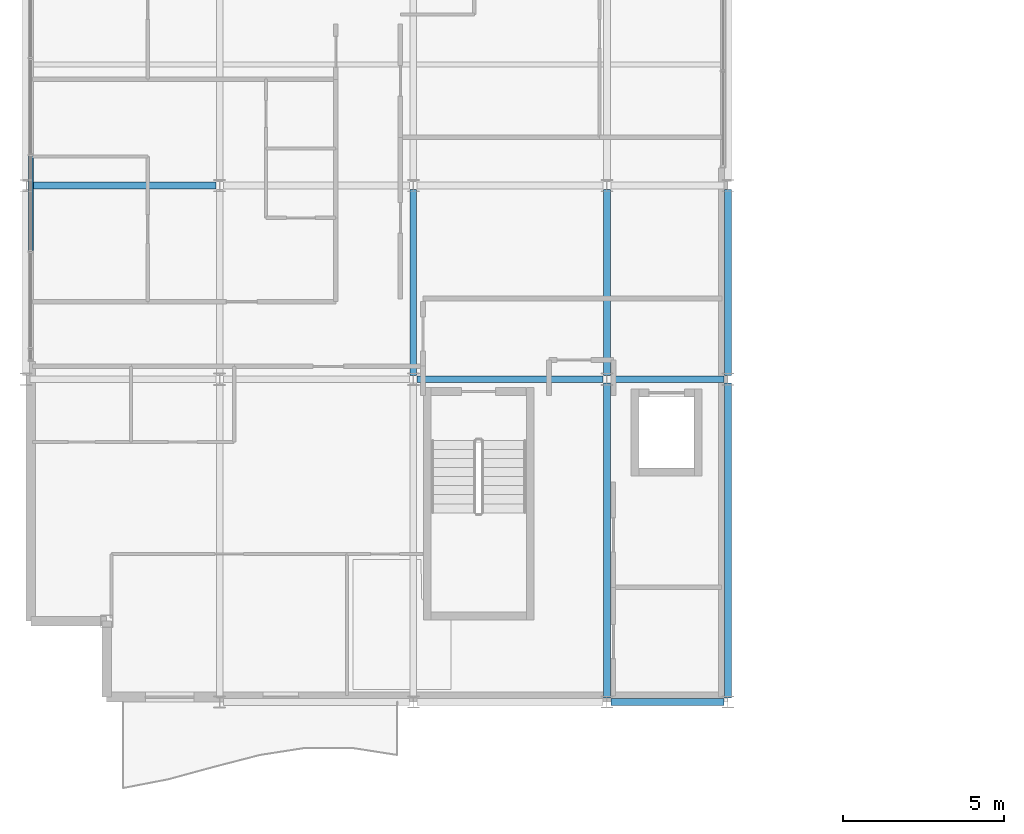
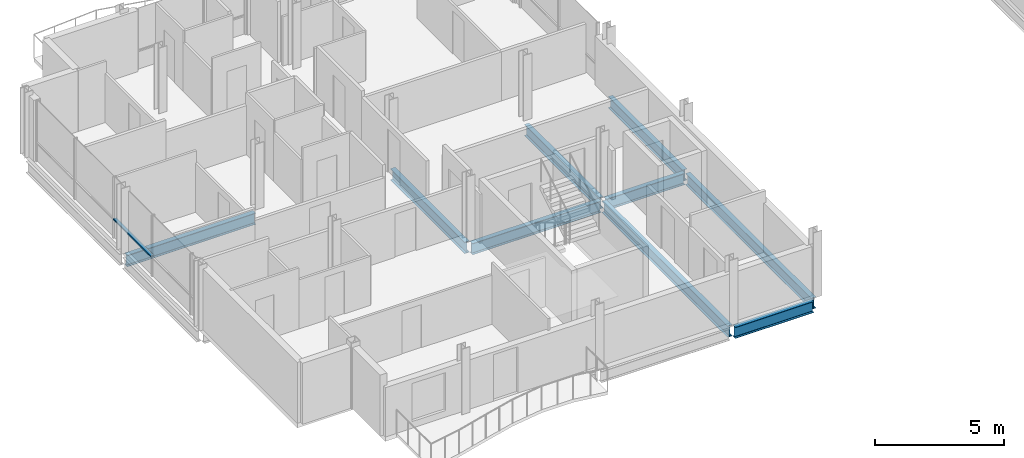
# One storey, part 5 of 29: 9 beams, 1 member, 1 element without a shape of its own.
"""IFC4 building model written with IfcOpenShell, lengths in metres."""

from ifc_helpers import new_model, si_unit, direction, frame, origin, origin_2d, place, context, subcontext, project, spatial, hollow_rectangle, i_section, extrude, material, layer, layer_set, material_profile, profile_set, type_object, element, aggregate, save


model = new_model("IFC4")

# Units and contexts
model_context = context("Model", 3, precision=1e-05, world=origin(), true_north=direction((0.0, 1.0)))
body_context = subcontext(model_context, "Body", "Model", "MODEL_VIEW")
ifc_project = project(units=[si_unit("LENGTHUNIT", "METRE"), si_unit("AREAUNIT", "SQUARE_METRE"), si_unit("VOLUMEUNIT", "CUBIC_METRE"), si_unit("PLANEANGLEUNIT", "RADIAN"), si_unit("MASSUNIT", "GRAM", prefix="KILO")], contexts=[model_context])

# Site, building, storey
site_placement = place(None, origin())
site = spatial("IfcSite", under=ifc_project, at=site_placement, CompositionType="ELEMENT")
building_placement = place(site_placement, origin())
building = spatial("IfcBuilding", under=site, at=building_placement, Name="Brevholm Reach", CompositionType="ELEMENT")
storey_placement = place(building_placement, frame((0.0, 0.0, 201.800048828125)))
storey = spatial("IfcBuildingStorey", under=building, at=storey_placement, Name="L61", CompositionType="ELEMENT", Elevation=201.800048828125)

# Beams
ifc_material_1 = material(Name="Structural Steel S355J2", Category="steel")
ifc_material_profile_1 = material_profile(ifc_material_1, i_section(OverallWidth=0.209228515625, OverallDepth=0.533203125, WebThickness=0.010009765625, FlangeThickness=0.015625, FilletRadius=0.0126953125, at=origin_2d()), Name="UKB 533x210x92")
ifc_profile_set_1 = profile_set([ifc_material_profile_1], Name="Structural Steel S355J2")
beam_type_1 = type_object("IfcBeamType", Name="BM-SP533", PredefinedType="SPANDREL", material=ifc_profile_set_1)
beam_1_placement = place(storey_placement, frame((18.1201171875, 0.0, -0.4765625), z_axis=(1.0, 0.0, 0.0), x_axis=(0.0, 1.0, 0.0)))
element("IfcBeam", 1, at=beam_1_placement, inside=storey, type_object=beam_type_1, Name="L61 SP-02 Framing Beam", PredefinedType="SPANDREL", context=body_context, shape_type="SweptSolid", body=[
    extrude(i_section(OverallWidth=0.209228515625, OverallDepth=0.533203125, WebThickness=0.010009765625, FlangeThickness=0.015625, FilletRadius=0.0126953125, at=origin_2d()), origin(), (0.0, 0.0, 1.0), 3.509765625),
])
beam_2_placement = place(storey_placement, frame((21.75, 0.1201171875, -0.4765625), z_axis=(0.0, 1.0, 0.0), x_axis=(-1.0, 0.0, 0.0)))
element("IfcBeam", 2, at=beam_2_placement, inside=storey, type_object=beam_type_1, Name="L61 SP-02 Framing Beam", PredefinedType="SPANDREL", context=body_context, shape_type="SweptSolid", body=[
    extrude(i_section(OverallWidth=0.209228515625, OverallDepth=0.533203125, WebThickness=0.010009765625, FlangeThickness=0.015625, FilletRadius=0.0126953125, at=origin_2d()), origin(), (0.0, 0.0, 1.0), 9.759765625),
])
beam_3_placement = place(storey_placement, frame((21.75, 10.1201171875, -0.4765625), z_axis=(0.0, 1.0, 0.0), x_axis=(-1.0, 0.0, 0.0)))
element("IfcBeam", 3, at=beam_3_placement, inside=storey, type_object=beam_type_1, Name="L61 SP-02 Framing Beam", PredefinedType="SPANDREL", context=body_context, shape_type="SweptSolid", body=[
    extrude(i_section(OverallWidth=0.209228515625, OverallDepth=0.533203125, WebThickness=0.010009765625, FlangeThickness=0.015625, FilletRadius=0.0126953125, at=origin_2d()), origin(), (0.0, 0.0, 1.0), 5.759765625),
])
ifc_material_2 = material(Name="Structural Steel S355J2", Category="steel")
ifc_material_profile_2 = material_profile(ifc_material_2, i_section(OverallWidth=0.210693359375, OverallDepth=0.53955078125, WebThickness=0.01171875, FlangeThickness=0.018798828125, FilletRadius=0.0126953125, at=origin_2d()), Name="UKB 533x210x109")
ifc_profile_set_2 = profile_set([ifc_material_profile_2], Name="Structural Steel S355J2")
beam_type_2 = type_object("IfcBeamType", Name="BM-SP539", PredefinedType="SPANDREL", material=ifc_profile_set_2)
beam_4_placement = place(storey_placement, frame((12.1201171875, 10.0, -0.479736328125), z_axis=(1.0, 0.0, 0.0), x_axis=(0.0, 1.0, 0.0)))
element("IfcBeam", 4, at=beam_4_placement, inside=storey, type_object=beam_type_2, Name="L61 SP-01B Framing Beam", PredefinedType="SPANDREL", context=body_context, shape_type="SweptSolid", body=[
    extrude(i_section(OverallWidth=0.210693359375, OverallDepth=0.53955078125, WebThickness=0.01171875, FlangeThickness=0.018798828125, FilletRadius=0.0126953125, at=origin_2d()), origin(), (0.0, 0.0, 1.0), 5.759765625),
])
beam_5_placement = place(storey_placement, frame((18.1201171875, 10.0, -0.479736328125), z_axis=(1.0, 0.0, 0.0), x_axis=(0.0, 1.0, 0.0)))
element("IfcBeam", 5, at=beam_5_placement, inside=storey, type_object=beam_type_2, Name="L61 SP-01B Framing Beam", PredefinedType="SPANDREL", context=body_context, shape_type="SweptSolid", body=[
    extrude(i_section(OverallWidth=0.210693359375, OverallDepth=0.53955078125, WebThickness=0.01171875, FlangeThickness=0.018798828125, FilletRadius=0.0126953125, at=origin_2d()), origin(), (0.0, 0.0, 1.0), 3.509765625),
])
for number, where, z_axis, x_axis, name in (
    (6, (0.1201171875, 16.0, -0.479736328125), (1.0, 0.0, 0.0), (0.0, 1.0, 0.0), "L61 SP-01B Framing Beam"),
    (7, (12.0, 10.1201171875, -0.479736328125), (0.0, 1.0, 0.0), (-1.0, 0.0, 0.0), "L61 SP-01B Framing Beam"),
):
    element("IfcBeam", number, at=place(storey_placement, frame(where, z_axis=z_axis, x_axis=x_axis)), inside=storey, type_object=beam_type_2, Name=name, PredefinedType="SPANDREL", context=body_context, shape_type="SweptSolid", body=[
        extrude(i_section(OverallWidth=0.210693359375, OverallDepth=0.53955078125, WebThickness=0.01171875, FlangeThickness=0.018798828125, FilletRadius=0.0126953125, at=origin_2d()), origin(), (0.0, 0.0, 1.0), 5.759765625),
    ])
beam_6_placement = place(storey_placement, frame((18.0, 0.1201171875, -0.479736328125), z_axis=(0.0, 1.0, 0.0), x_axis=(-1.0, 0.0, 0.0)))
element("IfcBeam", 8, at=beam_6_placement, inside=storey, type_object=beam_type_2, Name="L61 SP-01B Framing Beam", PredefinedType="SPANDREL", context=body_context, shape_type="SweptSolid", body=[
    extrude(i_section(OverallWidth=0.210693359375, OverallDepth=0.53955078125, WebThickness=0.01171875, FlangeThickness=0.018798828125, FilletRadius=0.0126953125, at=origin_2d()), origin(), (0.0, 0.0, 1.0), 9.759765625),
])
beam_7_placement = place(storey_placement, frame((18.0, 10.1201171875, -0.479736328125), z_axis=(0.0, 1.0, 0.0), x_axis=(-1.0, 0.0, 0.0)))
element("IfcBeam", 9, at=beam_7_placement, inside=storey, type_object=beam_type_2, Name="L61 SP-01B Framing Beam", PredefinedType="SPANDREL", context=body_context, shape_type="SweptSolid", body=[
    extrude(i_section(OverallWidth=0.210693359375, OverallDepth=0.53955078125, WebThickness=0.01171875, FlangeThickness=0.018798828125, FilletRadius=0.0126953125, at=origin_2d()), origin(), (0.0, 0.0, 1.0), 5.759765625),
])

# Curtain wall, member
ifc_material_3 = material(Name="Dark Anodised Aluminium 6063-T6 and Solar-Control Glass", Category="aluminium")
ifc_layer = layer(ifc_material_3, 0.14990234375)
ifc_layer_set = layer_set([ifc_layer], Name="Dark Anodised Aluminium 6063-T6 and Solar-Control Glass")
curtain_wall_type = type_object("IfcCurtainWallType", Name="CW-01", PredefinedType="NOTDEFINED", material=ifc_layer_set)
curtain_wall_placement = place(storey_placement, origin())
curtain_wall = element("IfcCurtainWall", 10, at=curtain_wall_placement, inside=storey, type_object=curtain_wall_type, Name="L61 Curtain Wall CW-01", PredefinedType="NOTDEFINED")
ifc_material_4 = material(Name="Dark Anodised Aluminium 6063-T6", Category="aluminium")
ifc_material_profile_3 = material_profile(ifc_material_4, hollow_rectangle(XDim=0.06494140625, YDim=0.14990234375, WallThickness=0.0048828125, InnerFilletRadius=0.0048828125, OuterFilletRadius=0.010009765625, at=origin_2d()), Name="RHS 150x65x5")
ifc_profile_set_3 = profile_set([ifc_material_profile_3], Name="Dark Anodised Aluminium 6063-T6")
member_type = type_object("IfcMemberType", Name="CWT-150", PredefinedType="NOTDEFINED", material=ifc_profile_set_3)
member_placement = place(storey_placement, frame((0.14990234375, 16.91748046875, 0.89990234375), z_axis=(0.0, -1.0, 0.0), x_axis=(0.0, 0.0, 1.0)))
member = element("IfcMember", 11, at=member_placement, type_object=member_type, Name="CT-150 Transom 3.1", ObjectType="TRANSOM", PredefinedType="USERDEFINED", context=body_context, shape_type="SweptSolid", body=[
    extrude(hollow_rectangle(XDim=0.06494140625, YDim=0.14990234375, WallThickness=0.0048828125, InnerFilletRadius=0.0048828125, OuterFilletRadius=0.010009765625, at=origin_2d()), origin(), (0.0, 0.0, 1.0), 2.93505859375),
])
aggregate(curtain_wall, [member])

save(model, "model.ifc")
